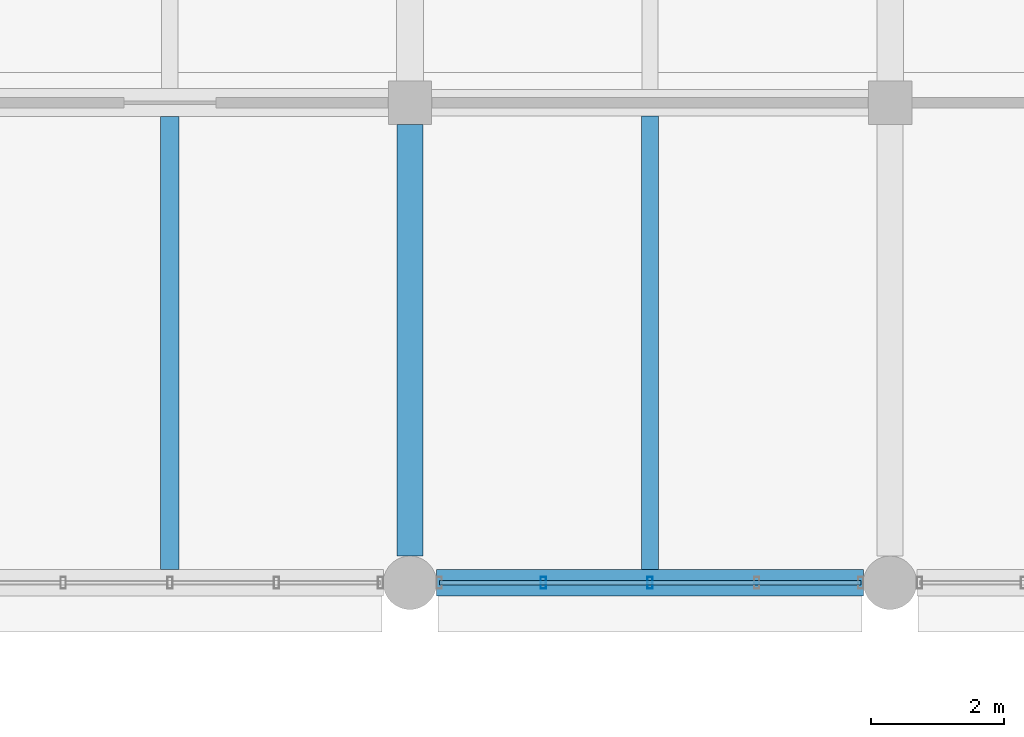
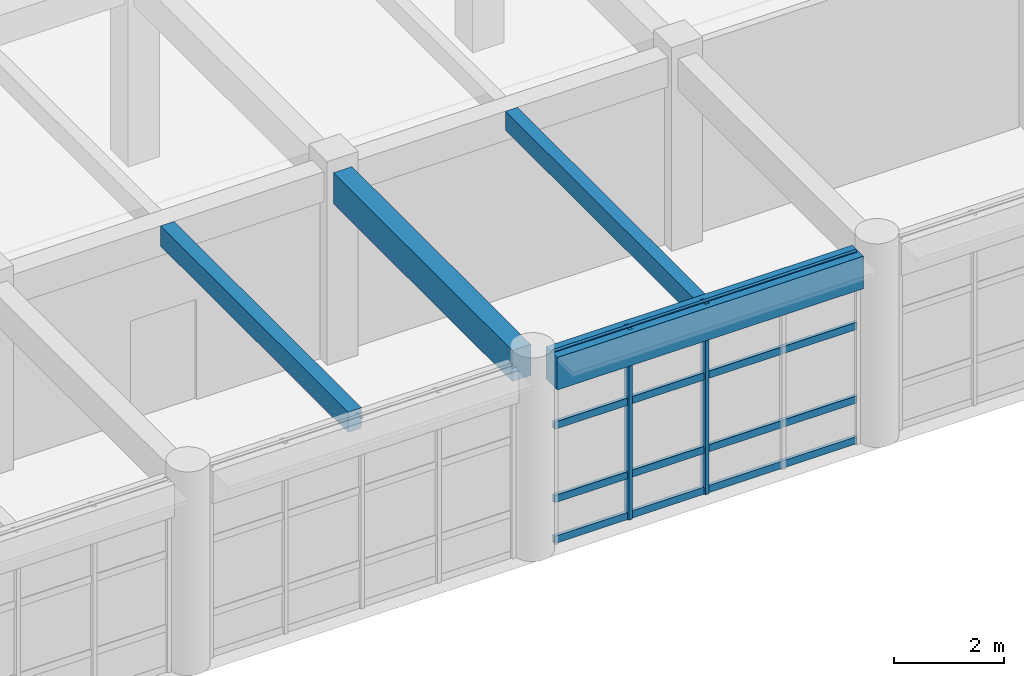
# One storey, part 26 of 171: 6 members, 4 beams, 1 element without a shape of its own.
"""IFC4 building model written with IfcOpenShell, lengths in metres."""

import ifcopenshell
import ifcopenshell.guid

model = None  # the IFC model being written
_history = None  # IfcOwnerHistory: only IFC2X3 demands one
_inside = {}  # id of a spatial element -> (the spatial element, [elements in it])
_under = {}  # id of a project, library or spatial element -> (it, [spatial elements below it])
_declared = {}  # id of a project -> (the project, [libraries it declares])
_typed = {}  # id of a type object -> (the type object, [elements of that type])
_made_of = {}  # id of a material, layer set ... -> (it, [elements and type objects made of it])


def new_model(schema):
    """Start an empty IFC model of exactly this schema.

    Asked for "IFC4X3", IfcOpenShell would pick the latest addendum, in which some entities
    have other attributes; the version numbers below select the first issue.
    IFC2X3 requires an IfcOwnerHistory on every rooted entity: one is made here for all.
    """
    global model, _history
    if schema == "IFC4X3":
        model = ifcopenshell.file(schema_version=(4, 3, 0, 0))
    else:
        model = ifcopenshell.file(schema=schema)
    _inside.clear()
    _under.clear()
    _declared.clear()
    _typed.clear()
    _made_of.clear()
    _history = None
    if model.schema == "IFC2X3":
        org = make("IfcOrganization", Name="unknown")
        user = make(
            "IfcPersonAndOrganization",
            ThePerson=make("IfcPerson", FamilyName="unknown"),
            TheOrganization=org,
        )
        app = make(
            "IfcApplication",
            ApplicationDeveloper=org,
            Version="unknown",
            ApplicationFullName="unknown",
            ApplicationIdentifier="unknown",
        )
        _history = make(
            "IfcOwnerHistory",
            OwningUser=user,
            OwningApplication=app,
            ChangeAction="ADDED",
            CreationDate=0,
        )
    return model


def make(cls, **values):
    """One entity of the class cls with the attributes given. An attribute that is None is left unset."""
    return model.create_entity(
        cls, **{name: value for name, value in values.items() if value is not None}
    )


def rooted(cls, **values):
    """An entity with a GlobalId (a new one), such as an element, a storey or a relation."""
    return make(cls, GlobalId=ifcopenshell.guid.new(), OwnerHistory=_history, **values)


def si_unit(unit_type, name, prefix=None):
    """IfcSIUnit, for example si_unit("LENGTHUNIT", "METRE", prefix="MILLI")."""
    return make("IfcSIUnit", UnitType=unit_type, Prefix=prefix, Name=name)


def assignment(units):
    """IfcUnitAssignment: the units of a project."""
    return None if units is None else make("IfcUnitAssignment", Units=units)


def point(xyz):
    """IfcCartesianPoint."""
    return None if xyz is None else make("IfcCartesianPoint", Coordinates=xyz)


def direction(xyz):
    """IfcDirection."""
    return None if xyz is None else make("IfcDirection", DirectionRatios=xyz)


def frame(location, z_axis=None, x_axis=None):
    """IfcAxis2Placement3D, a coordinate frame: its origin and axes. An axis left out is left unset."""
    return make(
        "IfcAxis2Placement3D",
        Location=point(location),
        Axis=direction(z_axis),
        RefDirection=direction(x_axis),
    )


def frame_2d(location, x_axis=None):
    """IfcAxis2Placement2D, a coordinate frame in the plane: its origin and x axis."""
    return make(
        "IfcAxis2Placement2D", Location=point(location), RefDirection=direction(x_axis)
    )


def origin():
    """The frame at (0, 0, 0) with its axes left unset."""
    return frame((0.0, 0.0, 0.0))


def origin_2d():
    """The frame at (0, 0) in the plane with its x axis left unset."""
    return frame_2d((0.0, 0.0))


def place(relative_to, where):
    """IfcLocalPlacement: puts the frame where relative to a parent placement (None: the world)."""
    return make(
        "IfcLocalPlacement", PlacementRelTo=relative_to, RelativePlacement=where
    )


def context(
    kind, dimensions, precision=None, world=None, true_north=None, identifier=None
):
    """IfcGeometricRepresentationContext, for example the 3D "Model" context."""
    return make(
        "IfcGeometricRepresentationContext",
        ContextIdentifier=identifier,
        ContextType=kind,
        CoordinateSpaceDimension=dimensions,
        Precision=precision,
        WorldCoordinateSystem=world,
        TrueNorth=true_north,
    )


def subcontext(parent, identifier, kind, view, scale=None):
    """IfcGeometricRepresentationSubContext, for example "Body" below "Model"."""
    return make(
        "IfcGeometricRepresentationSubContext",
        ContextIdentifier=identifier,
        ContextType=kind,
        ParentContext=parent,
        TargetScale=scale,
        TargetView=view,
    )


def project(units=None, contexts=None):
    """IfcProject with its units and contexts."""
    return rooted(
        "IfcProject",
        Name="project",
        RepresentationContexts=contexts,
        UnitsInContext=assignment(units),
    )


def spatial(cls, under=None, at=None, **own):
    """A site, building, storey or space (cls), placed at a placement, below another one or the project."""
    s = rooted(cls, ObjectPlacement=at, **own)
    if under is not None:
        _under.setdefault(under.id(), (under, []))[1].append(s)
    return s


def profile(cls, at=None, kind="AREA", **sizes):
    """A parametric profile (cls). Its sizes go by their IFC names, for example OverallWidth=200.0."""
    return make(cls, ProfileType=kind, Position=at, **sizes)


def rectangle(**sizes):
    """IfcRectangleProfileDef."""
    return profile("IfcRectangleProfileDef", **sizes)


def hollow_rectangle(**sizes):
    """IfcRectangleHollowProfileDef."""
    return profile("IfcRectangleHollowProfileDef", **sizes)


def extrude(swept, where, along, depth):
    """IfcExtrudedAreaSolid: the profile swept, set in the frame where, extruded along a direction by depth."""
    return make(
        "IfcExtrudedAreaSolid",
        SweptArea=swept,
        Position=where,
        ExtrudedDirection=direction(along),
        Depth=depth,
    )


def shape(context_of_items, identifier, shape_type, items):
    """IfcShapeRepresentation: the items that make up one representation, for example the "Body"."""
    return make(
        "IfcShapeRepresentation",
        ContextOfItems=context_of_items,
        RepresentationIdentifier=identifier,
        RepresentationType=shape_type,
        Items=items,
    )


def material(Name=None, Category=None):
    """IfcMaterial."""
    return make("IfcMaterial", Name=Name, Category=Category)


def material_profile(
    of_material, cross_section, Name=None, Category=None, Priority=None
):
    """IfcMaterialProfile: a cross section and its material."""
    return make(
        "IfcMaterialProfile",
        Name=Name,
        Material=of_material,
        Profile=cross_section,
        Priority=Priority,
        Category=Category,
    )


def profile_set(profiles, Name=None, composite=None):
    """IfcMaterialProfileSet."""
    return make(
        "IfcMaterialProfileSet",
        Name=Name,
        MaterialProfiles=profiles,
        CompositeProfile=composite,
    )


def made_of(thing, what):
    """Note that an element or type object is made of a material, layer set ...; save() writes the relation."""
    if what is not None:
        _made_of.setdefault(what.id(), (what, []))[1].append(thing)
    return thing


def type_object(cls, material=None, **own):
    """A type object (cls), such as IfcWallType, which elements share."""
    return made_of(rooted(cls, **own), material)


def element(
    cls,
    number,
    at=None,
    inside=None,
    cuts=None,
    type_object=None,
    material=None,
    context=None,
    identifier="Body",
    shape_type=None,
    held_by="IfcProductDefinitionShape",
    body=None,
    shapes=None,
    **own,
):
    """One element of the class cls, such as IfcWall. Its Tag is "e" and its number.

    at: its placement. inside: the storey or other place that contains it. cuts: it is an
    opening in that element (IfcRelVoidsElement). A single representation is given by context,
    identifier, shape_type and body (its items); several are given by shapes. held_by: the class
    of the entity that holds the representations. save() writes the other relations.
    """
    e = rooted(cls, Tag="e%d" % number, ObjectPlacement=at, **own)
    if body is not None:
        shapes = [shape(context, identifier, shape_type, body)]
    if shapes is not None:
        e.Representation = make(held_by, Representations=shapes)
    if inside is not None:
        _inside.setdefault(inside.id(), (inside, []))[1].append(e)
    if cuts is not None:
        rooted(
            "IfcRelVoidsElement", RelatingBuildingElement=cuts, RelatedOpeningElement=e
        )
    if type_object is not None:
        _typed.setdefault(type_object.id(), (type_object, []))[1].append(e)
    return made_of(e, material)


def aggregate(whole, parts):
    """IfcRelAggregates: a whole, such as a stair, and the parts it consists of."""
    return rooted("IfcRelAggregates", RelatingObject=whole, RelatedObjects=parts)


def save(model, path):
    """Write the relations noted so far, then the file.

    IfcRelAggregates (storeys below a building ...), IfcRelContainedInSpatialStructure (elements
    in a storey), IfcRelDefinesByType, IfcRelAssociatesMaterial and IfcRelDeclares: one each for
    every whole, place, type object, material and project.
    """
    for whole, parts in _under.values():
        aggregate(whole, parts)
    for where, things in _inside.values():
        rooted(
            "IfcRelContainedInSpatialStructure",
            RelatedElements=things,
            RelatingStructure=where,
        )
    for kind, things in _typed.values():
        rooted("IfcRelDefinesByType", RelatedObjects=things, RelatingType=kind)
    for what, things in _made_of.values():
        rooted("IfcRelAssociatesMaterial", RelatedObjects=things, RelatingMaterial=what)
    for by, libraries in _declared.values():
        rooted("IfcRelDeclares", RelatingContext=by, RelatedDefinitions=libraries)
    model.write(path)


model = new_model("IFC4")

# Units and contexts
model_context = context("Model", 3, precision=1e-05, world=origin(), true_north=direction((0.0, 1.0)))
body_context = subcontext(model_context, "Body", "Model", "MODEL_VIEW")
ifc_project = project(units=[si_unit("LENGTHUNIT", "METRE"), si_unit("AREAUNIT", "SQUARE_METRE"), si_unit("VOLUMEUNIT", "CUBIC_METRE"), si_unit("PLANEANGLEUNIT", "RADIAN"), si_unit("MASSUNIT", "GRAM", prefix="KILO")], contexts=[model_context])

# Site, building, storey
site_placement = place(None, origin())
site = spatial("IfcSite", under=ifc_project, at=site_placement, CompositionType="ELEMENT")
building_placement = place(site_placement, origin())
building = spatial("IfcBuilding", under=site, at=building_placement, Name="Thalmaran Polytechnic", CompositionType="ELEMENT")
storey_placement = place(building_placement, frame((0.0, 0.0, 5.39990234375)))
storey = spatial("IfcBuildingStorey", under=building, at=storey_placement, Name="L01", CompositionType="ELEMENT", Elevation=5.39990234375)

# Beams
ifc_material_1 = material(Name="Concrete C40/50", Category="concrete")
ifc_material_profile_1 = material_profile(ifc_material_1, rectangle(XDim=0.389892578125, YDim=0.68505859375, at=origin_2d()), Name="RC 390x685")
ifc_profile_set_1 = profile_set([ifc_material_profile_1], Name="Concrete C40/50")
beam_type_1 = type_object("IfcBeamType", Name="BM-RC08", PredefinedType="BEAM", material=ifc_profile_set_1)
beam_1_placement = place(storey_placement, frame((43.199951171875, 50.800048828125, 3.86767578125), z_axis=(0.0, 1.0, 0.0), x_axis=(-1.0, 0.0, 0.0)))
element("IfcBeam", 1, at=beam_1_placement, inside=storey, type_object=beam_type_1, Name="Grid Beam B08 L01 Y(6,7)", PredefinedType="BEAM", context=body_context, shape_type="SweptSolid", body=[
    extrude(rectangle(XDim=0.389892578125, YDim=0.68505859375, at=origin_2d()), origin(), (0.0, 0.0, 1.0), 6.474853515625),
])
ifc_material_profile_2 = material_profile(ifc_material_1, rectangle(XDim=0.280029296875, YDim=0.449951171875, at=origin_2d()), Name="RC 280x450")
ifc_profile_set_2 = profile_set([ifc_material_profile_2], Name="Concrete C40/50")
beam_type_2 = type_object("IfcBeamType", Name="BM-RC13", PredefinedType="JOIST", material=ifc_profile_set_2)
beam_2_placement = place(storey_placement, frame((39.60009765625, 50.60009765625, 3.985107421875), z_axis=(0.0, 1.0, 0.0), x_axis=(-1.0, 0.0, 0.0)))
element("IfcBeam", 2, at=beam_2_placement, inside=storey, type_object=beam_type_2, Name="Secondary Floor Rib RB03 L01 (5,7)", PredefinedType="JOIST", context=body_context, shape_type="SweptSolid", body=[
    extrude(rectangle(XDim=0.280029296875, YDim=0.449951171875, at=origin_2d()), origin(), (0.0, 0.0, 1.0), 6.789794921875),
])
ifc_material_profile_3 = material_profile(ifc_material_1, rectangle(XDim=0.39990234375, YDim=0.719970703125, at=origin_2d()), Name="RC 400x720")
ifc_profile_set_3 = profile_set([ifc_material_profile_3], Name="Concrete C40/50")
beam_type_3 = type_object("IfcBeamType", Name="BM-SP01", PredefinedType="SPANDREL", material=ifc_profile_set_3)
beam_3_placement = place(storey_placement, frame((43.60009765625, 50.39990234375, 3.85009765625), z_axis=(1.0, 0.0, 0.0), x_axis=(0.0, 1.0, 0.0)))
element("IfcBeam", 3, at=beam_3_placement, inside=storey, type_object=beam_type_3, Name="Grid Beam SP01 L01 X(6,7)", PredefinedType="SPANDREL", context=body_context, shape_type="SweptSolid", body=[
    extrude(rectangle(XDim=0.39990234375, YDim=0.719970703125, at=origin_2d()), origin(), (0.0, 0.0, 1.0), 6.39990234375),
])
ifc_material_profile_4 = material_profile(ifc_material_1, rectangle(XDim=0.25, YDim=0.419921875, at=origin_2d()), Name="RC 250x420")
ifc_profile_set_4 = profile_set([ifc_material_profile_4], Name="Concrete C40/50")
beam_type_4 = type_object("IfcBeamType", Name="BM-ZJ03", PredefinedType="JOIST", material=ifc_profile_set_4)
beam_4_placement = place(storey_placement, frame((46.800048828125, 50.60009765625, 4.0), z_axis=(0.0, 1.0, 0.0), x_axis=(-1.0, 0.0, 0.0)))
element("IfcBeam", 4, at=beam_4_placement, inside=storey, type_object=beam_type_4, Name="Secondary Floor Rib ZJ03 L01 (6,7)", PredefinedType="JOIST", context=body_context, shape_type="SweptSolid", body=[
    extrude(rectangle(XDim=0.25, YDim=0.419921875, at=origin_2d()), origin(), (0.0, 0.0, 1.0), 6.7998046875),
])

# Curtain wall, members
ifc_material_2 = material(Name="Aluminium 6063-T6", Category="aluminium")
curtain_wall_type = type_object("IfcCurtainWallType", Name="CW-SC01", PredefinedType="USERDEFINED", material=ifc_material_2)
curtain_wall_placement = place(storey_placement, origin())
curtain_wall = element("IfcCurtainWall", 5, at=curtain_wall_placement, inside=storey, type_object=curtain_wall_type, Name="Curtain Wall CW-L01-154", ObjectType="STICK CURTAIN WALL", PredefinedType="USERDEFINED")
ifc_material_profile_5 = material_profile(ifc_material_2, hollow_rectangle(XDim=0.080078125, YDim=0.179931640625, WallThickness=0.0048828125, at=origin_2d()), Name="RHS 180x80x5.0")
ifc_profile_set_5 = profile_set([ifc_material_profile_5], Name="Aluminium 6063-T6")
member_type_1 = type_object("IfcMemberType", Name="CW-MUL1", PredefinedType="MULLION", material=ifc_profile_set_5)
member_1_placement = place(storey_placement, frame((46.800048828125, 50.39990234375, 0.0), z_axis=(0.0, 0.0, 1.0), x_axis=(1.0, 0.0, 0.0)))
member_1 = element("IfcMember", 6, at=member_1_placement, type_object=member_type_1, Name="CW-L01-154 Mullion 3", PredefinedType="MULLION", context=body_context, shape_type="SweptSolid", body=[
    extrude(hollow_rectangle(XDim=0.080078125, YDim=0.179931640625, WallThickness=0.0048828125, at=origin_2d()), origin(), (0.0, 0.0, 1.0), 4.210205078125),
])
member_2_placement = place(storey_placement, frame((45.199951171875, 50.39990234375, 0.0), z_axis=(0.0, 0.0, 1.0), x_axis=(1.0, 0.0, 0.0)))
member_2 = element("IfcMember", 7, at=member_2_placement, type_object=member_type_1, Name="CW-L01-154 Mullion 4", PredefinedType="MULLION", context=body_context, shape_type="SweptSolid", body=[
    extrude(hollow_rectangle(XDim=0.080078125, YDim=0.179931640625, WallThickness=0.0048828125, at=origin_2d()), origin(), (0.0, 0.0, 1.0), 4.210205078125),
])
ifc_material_profile_6 = material_profile(ifc_material_2, hollow_rectangle(XDim=0.070068359375, YDim=0.159912109375, WallThickness=0.00390625, at=origin_2d()), Name="AL 160x70x4.0")
ifc_profile_set_6 = profile_set([ifc_material_profile_6], Name="Aluminium 6063-T6")
member_type_2 = type_object("IfcMemberType", Name="CW-TRN1", PredefinedType="USERDEFINED", material=ifc_profile_set_6)
member_3_placement = place(storey_placement, frame((49.9599609375, 50.39990234375, 0.06005859375), z_axis=(-1.0, 0.0, 0.0), x_axis=(0.0, -1.0, 0.0)))
member_3 = element("IfcMember", 8, at=member_3_placement, type_object=member_type_2, Name="CW-L01-154 Transom 1", ObjectType="TRANSOM", PredefinedType="USERDEFINED", context=body_context, shape_type="SweptSolid", body=[
    extrude(hollow_rectangle(XDim=0.070068359375, YDim=0.159912109375, WallThickness=0.00390625, at=origin_2d()), origin(), (0.0, 0.0, 1.0), 6.320068359375),
])
member_4_placement = place(storey_placement, frame((49.9599609375, 50.39990234375, 0.960205078125), z_axis=(-1.0, 0.0, 0.0), x_axis=(0.0, -1.0, 0.0)))
member_4 = element("IfcMember", 9, at=member_4_placement, type_object=member_type_2, Name="CW-L01-154 Transom 2", ObjectType="TRANSOM", PredefinedType="USERDEFINED", context=body_context, shape_type="SweptSolid", body=[
    extrude(hollow_rectangle(XDim=0.070068359375, YDim=0.159912109375, WallThickness=0.00390625, at=origin_2d()), origin(), (0.0, 0.0, 1.0), 6.320068359375),
])
member_5_placement = place(storey_placement, frame((49.9599609375, 50.39990234375, 2.585205078125), z_axis=(-1.0, 0.0, 0.0), x_axis=(0.0, -1.0, 0.0)))
member_5 = element("IfcMember", 10, at=member_5_placement, type_object=member_type_2, Name="CW-L01-154 Transom 3", ObjectType="TRANSOM", PredefinedType="USERDEFINED", context=body_context, shape_type="SweptSolid", body=[
    extrude(hollow_rectangle(XDim=0.070068359375, YDim=0.159912109375, WallThickness=0.00390625, at=origin_2d()), origin(), (0.0, 0.0, 1.0), 6.320068359375),
])
member_6_placement = place(storey_placement, frame((49.9599609375, 50.39990234375, 4.150146484375), z_axis=(-1.0, 0.0, 0.0), x_axis=(0.0, -1.0, 0.0)))
member_6 = element("IfcMember", 11, at=member_6_placement, type_object=member_type_2, Name="CW-L01-154 Transom 4", ObjectType="TRANSOM", PredefinedType="USERDEFINED", context=body_context, shape_type="SweptSolid", body=[
    extrude(hollow_rectangle(XDim=0.070068359375, YDim=0.159912109375, WallThickness=0.00390625, at=origin_2d()), origin(), (0.0, 0.0, 1.0), 6.320068359375),
])
aggregate(curtain_wall, [member_1, member_2, member_3, member_4, member_5, member_6])

save(model, "model.ifc")
